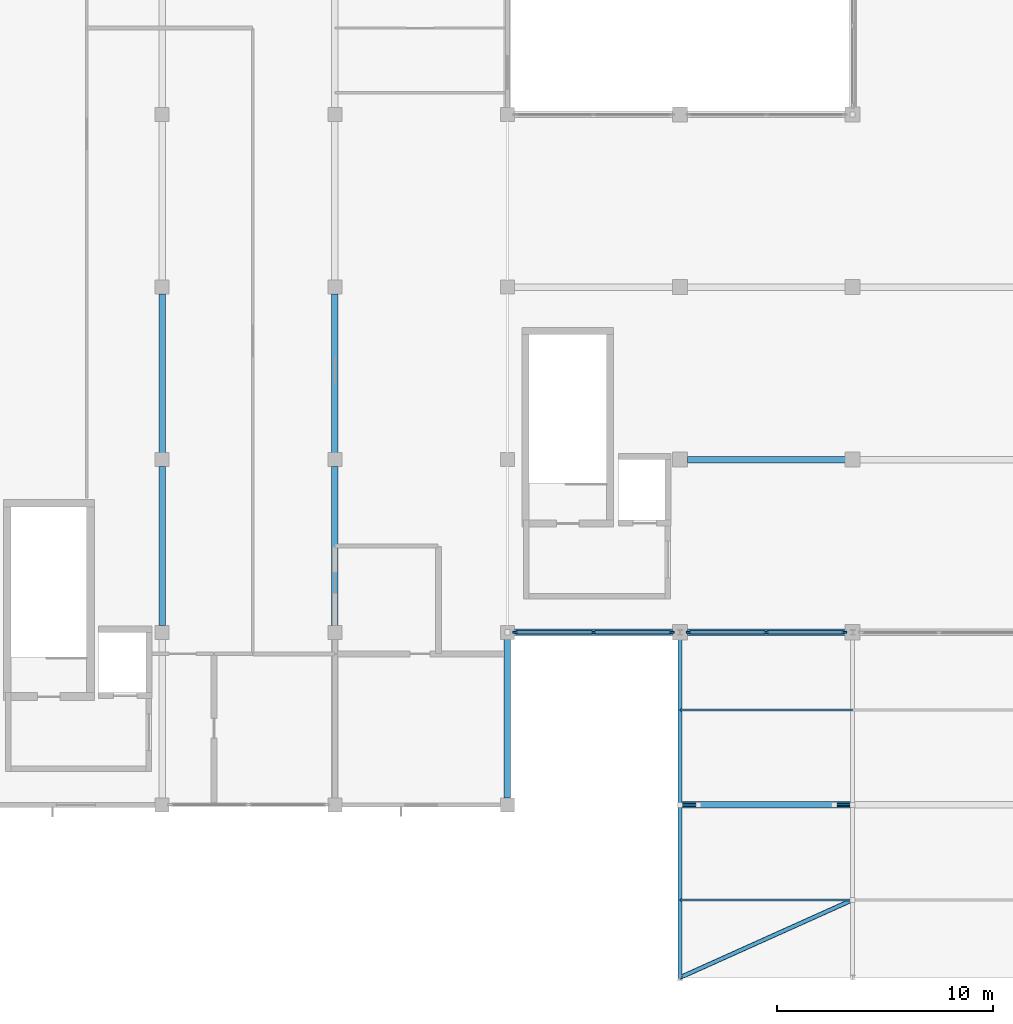
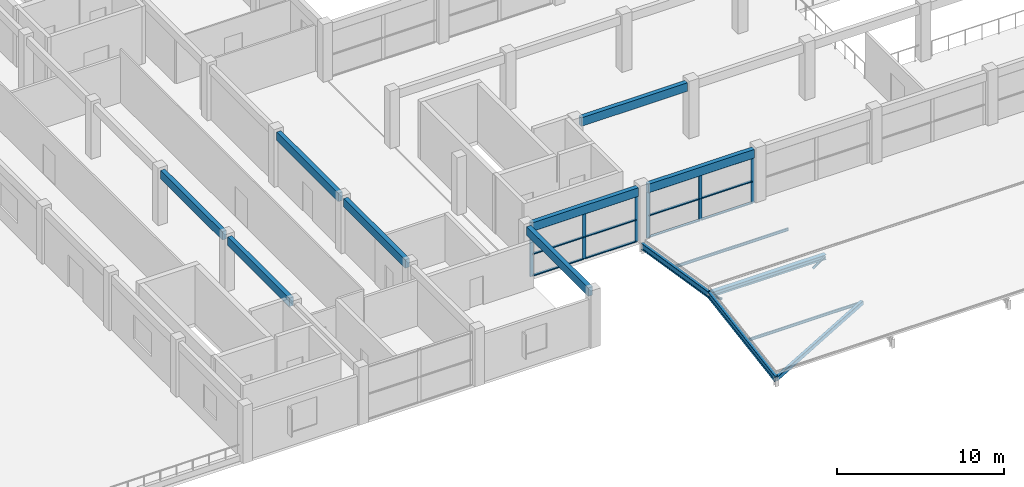
# One storey, part 6 of 67: 24 members, 10 beams, 2 elements without a shape of their own.
"""IFC4 building model written with IfcOpenShell, lengths in metres."""

from ifc_helpers import new_model, si_unit, direction, frame, origin, origin_2d, place, context, subcontext, project, spatial, rectangle, hollow_rectangle, hollow_circle, i_section, extrude, material, material_profile, profile_set, type_object, element, aggregate, save


model = new_model("IFC4")

# Units and contexts
model_context = context("Model", 3, precision=1e-05, world=origin(), true_north=direction((0.0, 1.0)))
body_context = subcontext(model_context, "Body", "Model", "MODEL_VIEW")
ifc_project = project(units=[si_unit("LENGTHUNIT", "METRE"), si_unit("AREAUNIT", "SQUARE_METRE"), si_unit("VOLUMEUNIT", "CUBIC_METRE"), si_unit("PLANEANGLEUNIT", "RADIAN"), si_unit("MASSUNIT", "GRAM", prefix="KILO")], contexts=[model_context])

# Site, building, storey
site_placement = place(None, origin())
site = spatial("IfcSite", under=ifc_project, at=site_placement, CompositionType="ELEMENT")
building_placement = place(site_placement, origin())
building = spatial("IfcBuilding", under=site, at=building_placement, Name="Kenh Van Central Station", CompositionType="ELEMENT")
storey_placement = place(building_placement, frame((0.0, 0.0, 10.800048828125)))
storey = spatial("IfcBuildingStorey", under=building, at=storey_placement, Name="L02", CompositionType="ELEMENT", Elevation=10.800048828125)

# Beams
ifc_material_1 = material(Name="Steel S355", Category="steel")
ifc_material_profile_1 = material_profile(ifc_material_1, i_section(OverallWidth=0.18994140625, OverallDepth=0.449951171875, WebThickness=0.009521484375, FlangeThickness=0.0146484375, FilletRadius=0.02099609375, at=origin_2d()), Name="IPE 450")
ifc_profile_set_1 = profile_set([ifc_material_profile_1], Name="Steel S355")
beam_type_1 = type_object("IfcBeamType", Name="BM-STL-IPE450", PredefinedType="BEAM", material=ifc_profile_set_1)
for number, where, z_axis, x_axis, name in (
    (1, (56.0, 0.0, -0.4453125), (0.0, 0.987051780814, 0.160401938868), (-1.0, 0.0, 0.0), "L02 roof rafter 008"),
    (2, (56.0, 8.0, 0.854736328125), (0.0, 0.987051780814, -0.160401938868), (-1.0, 0.0, 0.0), "L02 roof rafter 009"),
):
    element("IfcBeam", number, at=place(storey_placement, frame(where, z_axis=z_axis, x_axis=x_axis)), inside=storey, type_object=beam_type_1, Name=name, PredefinedType="BEAM", context=body_context, shape_type="SweptSolid", body=[
        extrude(i_section(OverallWidth=0.18994140625, OverallDepth=0.449951171875, WebThickness=0.009521484375, FlangeThickness=0.0146484375, FilletRadius=0.02099609375, at=origin_2d()), origin(), (0.0, 0.0, 1.0), 8.10498046875),
    ])

# Curtain wall, members
ifc_material_2 = material(Name="Champagne anodised aluminium", Category="aluminium")
curtain_wall_type = type_object("IfcCurtainWallType", Name="CW-CONC-A", PredefinedType="NOTDEFINED", material=ifc_material_2)
curtain_wall_1_placement = place(storey_placement, origin())
curtain_wall_1 = element("IfcCurtainWall", 3, at=curtain_wall_1_placement, inside=storey, type_object=curtain_wall_type, Name="L02 curtain wall 159", PredefinedType="NOTDEFINED")
ifc_material_profile_2 = material_profile(ifc_material_2, rectangle(XDim=0.08203125, YDim=0.22509765625, at=origin_2d()), Name="AL 82x225")
ifc_profile_set_2 = profile_set([ifc_material_profile_2], Name="Champagne anodised aluminium")
member_type_1 = type_object("IfcMemberType", Name="CWM-70x180", PredefinedType="MULLION", material=ifc_profile_set_2)
member_1_placement = place(storey_placement, frame((48.365966796875, 16.0, 0.0), z_axis=(0.0, 0.0, 1.0), x_axis=(0.0, 1.0, 0.0)))
member_1 = element("IfcMember", 4, at=member_1_placement, type_object=member_type_1, Name="CW-03 mullion 1", PredefinedType="MULLION", context=body_context, shape_type="SweptSolid", body=[
    extrude(rectangle(XDim=0.08203125, YDim=0.22509765625, at=origin_2d()), origin(), (0.0, 0.0, 1.0), 3.35986328125),
])
member_2_placement = place(storey_placement, frame((51.987548828125, 16.0, 0.0), z_axis=(0.0, 0.0, 1.0), x_axis=(0.0, 1.0, 0.0)))
member_2 = element("IfcMember", 5, at=member_2_placement, type_object=member_type_1, Name="CW-03 mullion 2", PredefinedType="MULLION", context=body_context, shape_type="SweptSolid", body=[
    extrude(rectangle(XDim=0.08203125, YDim=0.22509765625, at=origin_2d()), origin(), (0.0, 0.0, 1.0), 3.35986328125),
])
member_3_placement = place(storey_placement, frame((55.60888671875, 16.0, 0.0), z_axis=(0.0, 0.0, 1.0), x_axis=(0.0, 1.0, 0.0)))
member_3 = element("IfcMember", 6, at=member_3_placement, type_object=member_type_1, Name="CW-03 mullion 3", PredefinedType="MULLION", context=body_context, shape_type="SweptSolid", body=[
    extrude(rectangle(XDim=0.08203125, YDim=0.22509765625, at=origin_2d()), origin(), (0.0, 0.0, 1.0), 3.35986328125),
])

curtain_wall_2_placement = place(storey_placement, origin())
curtain_wall_2 = element("IfcCurtainWall", 7, at=curtain_wall_2_placement, inside=storey, type_object=curtain_wall_type, Name="L02 curtain wall 160", PredefinedType="NOTDEFINED")
member_4_placement = place(storey_placement, frame((56.39111328125, 16.0, 0.0), z_axis=(0.0, 0.0, 1.0), x_axis=(0.0, 1.0, 0.0)))
member_4 = element("IfcMember", 8, at=member_4_placement, type_object=member_type_1, Name="CW-03 mullion 1", PredefinedType="MULLION", context=body_context, shape_type="SweptSolid", body=[
    extrude(rectangle(XDim=0.08203125, YDim=0.22509765625, at=origin_2d()), origin(), (0.0, 0.0, 1.0), 3.35986328125),
])
member_5_placement = place(storey_placement, frame((60.0, 16.0, 0.0), z_axis=(0.0, 0.0, 1.0), x_axis=(0.0, 1.0, 0.0)))
member_5 = element("IfcMember", 9, at=member_5_placement, type_object=member_type_1, Name="CW-03 mullion 2", PredefinedType="MULLION", context=body_context, shape_type="SweptSolid", body=[
    extrude(rectangle(XDim=0.08203125, YDim=0.22509765625, at=origin_2d()), origin(), (0.0, 0.0, 1.0), 3.35986328125),
])
member_6_placement = place(storey_placement, frame((63.60888671875, 16.0, 0.0), z_axis=(0.0, 0.0, 1.0), x_axis=(0.0, 1.0, 0.0)))
member_6 = element("IfcMember", 10, at=member_6_placement, type_object=member_type_1, Name="CW-03 mullion 3", PredefinedType="MULLION", context=body_context, shape_type="SweptSolid", body=[
    extrude(rectangle(XDim=0.08203125, YDim=0.22509765625, at=origin_2d()), origin(), (0.0, 0.0, 1.0), 3.35986328125),
])

# Member
ifc_material_profile_3 = material_profile(ifc_material_2, rectangle(XDim=0.155029296875, YDim=0.072021484375, at=origin_2d()), Name="AL 155x72")
ifc_profile_set_3 = profile_set([ifc_material_profile_3], Name="Champagne anodised aluminium")
member_type_2 = type_object("IfcMemberType", Name="CWT-120x60", PredefinedType="USERDEFINED", material=ifc_profile_set_3)
member_7_placement = place(storey_placement, frame((48.406982421875, 16.0, 0.035888671875), z_axis=(1.0, 0.0, 0.0), x_axis=(0.0, 1.0, 0.0)))
member_7 = element("IfcMember", 11, at=member_7_placement, type_object=member_type_2, Name="CW-03 transom 1.1", ObjectType="TRANSOM", PredefinedType="USERDEFINED", context=body_context, shape_type="SweptSolid", body=[
    extrude(rectangle(XDim=0.155029296875, YDim=0.072021484375, at=origin_2d()), origin(), (0.0, 0.0, 1.0), 3.53955078125),
])

member_8_placement = place(storey_placement, frame((48.406982421875, 16.0, 1.61279296875), z_axis=(1.0, 0.0, 0.0), x_axis=(0.0, 1.0, 0.0)))
member_8 = element("IfcMember", 12, at=member_8_placement, type_object=member_type_2, Name="CW-03 transom 1.2", ObjectType="TRANSOM", PredefinedType="USERDEFINED", context=body_context, shape_type="SweptSolid", body=[
    extrude(rectangle(XDim=0.155029296875, YDim=0.072021484375, at=origin_2d()), origin(), (0.0, 0.0, 1.0), 3.53955078125),
])

member_9_placement = place(storey_placement, frame((48.406982421875, 16.0, 3.323974609375), z_axis=(1.0, 0.0, 0.0), x_axis=(0.0, 1.0, 0.0)))
member_9 = element("IfcMember", 13, at=member_9_placement, type_object=member_type_2, Name="CW-03 transom 1.3", ObjectType="TRANSOM", PredefinedType="USERDEFINED", context=body_context, shape_type="SweptSolid", body=[
    extrude(rectangle(XDim=0.155029296875, YDim=0.072021484375, at=origin_2d()), origin(), (0.0, 0.0, 1.0), 3.53955078125),
])

member_10_placement = place(storey_placement, frame((52.028564453125, 16.0, 0.035888671875), z_axis=(1.0, 0.0, 0.0), x_axis=(0.0, 1.0, 0.0)))
member_10 = element("IfcMember", 14, at=member_10_placement, type_object=member_type_2, Name="CW-03 transom 2.1", ObjectType="TRANSOM", PredefinedType="USERDEFINED", context=body_context, shape_type="SweptSolid", body=[
    extrude(rectangle(XDim=0.155029296875, YDim=0.072021484375, at=origin_2d()), origin(), (0.0, 0.0, 1.0), 3.53955078125),
])

member_11_placement = place(storey_placement, frame((52.028564453125, 16.0, 1.61279296875), z_axis=(1.0, 0.0, 0.0), x_axis=(0.0, 1.0, 0.0)))
member_11 = element("IfcMember", 15, at=member_11_placement, type_object=member_type_2, Name="CW-03 transom 2.2", ObjectType="TRANSOM", PredefinedType="USERDEFINED", context=body_context, shape_type="SweptSolid", body=[
    extrude(rectangle(XDim=0.155029296875, YDim=0.072021484375, at=origin_2d()), origin(), (0.0, 0.0, 1.0), 3.53955078125),
])

member_12_placement = place(storey_placement, frame((52.028564453125, 16.0, 3.323974609375), z_axis=(1.0, 0.0, 0.0), x_axis=(0.0, 1.0, 0.0)))
member_12 = element("IfcMember", 16, at=member_12_placement, type_object=member_type_2, Name="CW-03 transom 2.3", ObjectType="TRANSOM", PredefinedType="USERDEFINED", context=body_context, shape_type="SweptSolid", body=[
    extrude(rectangle(XDim=0.155029296875, YDim=0.072021484375, at=origin_2d()), origin(), (0.0, 0.0, 1.0), 3.53955078125),
])

aggregate(curtain_wall_1, [member_1, member_2, member_3, member_7, member_8, member_9, member_10, member_11, member_12])

member_13_placement = place(storey_placement, frame((56.431884765625, 16.0, 0.035888671875), z_axis=(1.0, 0.0, 0.0), x_axis=(0.0, 1.0, 0.0)))
member_13 = element("IfcMember", 17, at=member_13_placement, type_object=member_type_2, Name="CW-03 transom 1.1", ObjectType="TRANSOM", PredefinedType="USERDEFINED", context=body_context, shape_type="SweptSolid", body=[
    extrude(rectangle(XDim=0.155029296875, YDim=0.072021484375, at=origin_2d()), origin(), (0.0, 0.0, 1.0), 3.527099609375),
])

member_14_placement = place(storey_placement, frame((56.431884765625, 16.0, 1.61279296875), z_axis=(1.0, 0.0, 0.0), x_axis=(0.0, 1.0, 0.0)))
member_14 = element("IfcMember", 18, at=member_14_placement, type_object=member_type_2, Name="CW-03 transom 1.2", ObjectType="TRANSOM", PredefinedType="USERDEFINED", context=body_context, shape_type="SweptSolid", body=[
    extrude(rectangle(XDim=0.155029296875, YDim=0.072021484375, at=origin_2d()), origin(), (0.0, 0.0, 1.0), 3.527099609375),
])

member_15_placement = place(storey_placement, frame((56.431884765625, 16.0, 3.323974609375), z_axis=(1.0, 0.0, 0.0), x_axis=(0.0, 1.0, 0.0)))
member_15 = element("IfcMember", 19, at=member_15_placement, type_object=member_type_2, Name="CW-03 transom 1.3", ObjectType="TRANSOM", PredefinedType="USERDEFINED", context=body_context, shape_type="SweptSolid", body=[
    extrude(rectangle(XDim=0.155029296875, YDim=0.072021484375, at=origin_2d()), origin(), (0.0, 0.0, 1.0), 3.527099609375),
])

member_16_placement = place(storey_placement, frame((60.041015625, 16.0, 0.035888671875), z_axis=(1.0, 0.0, 0.0), x_axis=(0.0, 1.0, 0.0)))
member_16 = element("IfcMember", 20, at=member_16_placement, type_object=member_type_2, Name="CW-03 transom 2.1", ObjectType="TRANSOM", PredefinedType="USERDEFINED", context=body_context, shape_type="SweptSolid", body=[
    extrude(rectangle(XDim=0.155029296875, YDim=0.072021484375, at=origin_2d()), origin(), (0.0, 0.0, 1.0), 3.527099609375),
])

member_17_placement = place(storey_placement, frame((60.041015625, 16.0, 1.61279296875), z_axis=(1.0, 0.0, 0.0), x_axis=(0.0, 1.0, 0.0)))
member_17 = element("IfcMember", 21, at=member_17_placement, type_object=member_type_2, Name="CW-03 transom 2.2", ObjectType="TRANSOM", PredefinedType="USERDEFINED", context=body_context, shape_type="SweptSolid", body=[
    extrude(rectangle(XDim=0.155029296875, YDim=0.072021484375, at=origin_2d()), origin(), (0.0, 0.0, 1.0), 3.527099609375),
])

member_18_placement = place(storey_placement, frame((60.041015625, 16.0, 3.323974609375), z_axis=(1.0, 0.0, 0.0), x_axis=(0.0, 1.0, 0.0)))
member_18 = element("IfcMember", 22, at=member_18_placement, type_object=member_type_2, Name="CW-03 transom 2.3", ObjectType="TRANSOM", PredefinedType="USERDEFINED", context=body_context, shape_type="SweptSolid", body=[
    extrude(rectangle(XDim=0.155029296875, YDim=0.072021484375, at=origin_2d()), origin(), (0.0, 0.0, 1.0), 3.527099609375),
])

aggregate(curtain_wall_2, [member_4, member_5, member_6, member_13, member_14, member_15, member_16, member_17, member_18])

# Members
ifc_material_profile_4 = material_profile(ifc_material_1, hollow_rectangle(XDim=0.199951171875, YDim=0.300048828125, WallThickness=0.010009765625, InnerFilletRadius=0.010009765625, OuterFilletRadius=0.02001953125, at=origin_2d()), Name="RHS 300x200x10")
ifc_profile_set_4 = profile_set([ifc_material_profile_4], Name="Steel S355")
member_type_3 = type_object("IfcMemberType", Name="MEM-CAN-BRC300", PredefinedType="BRACE", material=ifc_profile_set_4)
member_19_placement = place(storey_placement, frame((56.0, 0.0, -0.4453125), z_axis=(0.909896811165, 0.409464672163, 0.066531761461), x_axis=(-0.410373934525, 0.91191733938, 0.0)))
element("IfcMember", 23, at=member_19_placement, inside=storey, type_object=member_type_3, Name="L02 roof wind brace 001", PredefinedType="BRACE", context=body_context, shape_type="SweptSolid", body=[
    extrude(hollow_rectangle(XDim=0.199951171875, YDim=0.300048828125, WallThickness=0.010009765625, InnerFilletRadius=0.010009765625, OuterFilletRadius=0.02001953125, at=origin_2d()), origin(), (0.0, 0.0, 1.0), 8.792236328125),
])
ifc_material_profile_5 = material_profile(ifc_material_1, i_section(OverallWidth=0.10009765625, OverallDepth=0.199951171875, WebThickness=0.005615234375, FlangeThickness=0.008544921875, FilletRadius=0.011962890625, at=origin_2d()), Name="IPE 200")
ifc_profile_set_5 = profile_set([ifc_material_profile_5], Name="Steel S355")
member_type_4 = type_object("IfcMemberType", Name="MEM-PUR-IPE200", PredefinedType="PURLIN", material=ifc_profile_set_5)
for number, where, z_axis, x_axis, name in (
    (24, (56.0, 3.60009765625, 0.1396484375), (1.0, 0.0, 0.0), (0.0, 1.0, 0.0), "L02 roof purlin 001"),
    (25, (56.0, 12.39990234375, 0.1396484375), (1.0, 0.0, 0.0), (0.0, 1.0, 0.0), "L02 roof purlin 008"),
):
    element("IfcMember", number, at=place(storey_placement, frame(where, z_axis=z_axis, x_axis=x_axis)), inside=storey, type_object=member_type_4, Name=name, PredefinedType="PURLIN", context=body_context, shape_type="SweptSolid", body=[
        extrude(i_section(OverallWidth=0.10009765625, OverallDepth=0.199951171875, WebThickness=0.005615234375, FlangeThickness=0.008544921875, FilletRadius=0.011962890625, at=origin_2d()), origin(), (0.0, 0.0, 1.0), 8.0),
    ])
ifc_material_profile_6 = material_profile(ifc_material_1, hollow_circle(Radius=0.084228515625, WallThickness=0.008056640625, at=origin_2d()), Name="CHS 168.3x8")
ifc_profile_set_6 = profile_set([ifc_material_profile_6], Name="Steel S355")
member_type_5 = type_object("IfcMemberType", Name="MEM-ROOF-BRC168", PredefinedType="BRACE", material=ifc_profile_set_6)
for number, where, z_axis, x_axis, name in (
    (26, (56.85009765625, 8.0, 0.23486328125), (-0.808002927302, 0.0, 0.589178469966), (0.0, -1.0, 0.0), "L02 roof truss web diagonal 003"),
    (27, (63.14990234375, 8.0, 0.23486328125), (0.808002927302, 0.0, 0.589178469966), (0.0, 1.0, 0.0), "L02 roof truss web diagonal 004"),
):
    element("IfcMember", number, at=place(storey_placement, frame(where, z_axis=z_axis, x_axis=x_axis)), inside=storey, type_object=member_type_5, Name=name, PredefinedType="BRACE", context=body_context, shape_type="SweptSolid", body=[
        extrude(hollow_circle(Radius=0.084228515625, WallThickness=0.008056640625, at=origin_2d()), origin(), (0.0, 0.0, 1.0), 1.052001953125),
    ])
ifc_material_profile_7 = material_profile(ifc_material_1, i_section(OverallWidth=0.300048828125, OverallDepth=0.35009765625, WebThickness=0.010009765625, FlangeThickness=0.017578125, FilletRadius=0.027099609375, at=origin_2d()), Name="HEA 360")
ifc_profile_set_7 = profile_set([ifc_material_profile_7], Name="Steel S355")
member_type_6 = type_object("IfcMemberType", Name="MEM-ROOF-HEA360", PredefinedType="CHORD", material=ifc_profile_set_7)
member_20_placement = place(storey_placement, frame((56.0, 8.0, 0.854736328125), z_axis=(1.0, 0.0, 0.0), x_axis=(0.0, 1.0, 0.0)))
element("IfcMember", 28, at=member_20_placement, inside=storey, type_object=member_type_6, Name="L02 roof ridge chord 001", PredefinedType="CHORD", context=body_context, shape_type="SweptSolid", body=[
    extrude(i_section(OverallWidth=0.300048828125, OverallDepth=0.35009765625, WebThickness=0.010009765625, FlangeThickness=0.017578125, FilletRadius=0.027099609375, at=origin_2d()), origin(), (0.0, 0.0, 1.0), 8.0),
])

# Beams
ifc_material_3 = material(Name="Concrete C35/45", Category="concrete")
ifc_material_profile_8 = material_profile(ifc_material_3, rectangle(XDim=0.300048828125, YDim=0.6201171875, at=origin_2d()), Name="RC 300x620")
ifc_profile_set_8 = profile_set([ifc_material_profile_8], Name="Concrete C35/45")
beam_type_2 = type_object("IfcBeamType", Name="SPD-RC-300x620", PredefinedType="SPANDREL", material=ifc_profile_set_8)
beam_placement = place(storey_placement, frame((48.31494140625, 16.0, 3.669921875), z_axis=(1.0, 0.0, 0.0), x_axis=(0.0, 1.0, 0.0)))
element("IfcBeam", 29, at=beam_placement, inside=storey, type_object=beam_type_2, Name="L02 beam 0920", PredefinedType="SPANDREL", context=body_context, shape_type="SweptSolid", body=[
    extrude(rectangle(XDim=0.300048828125, YDim=0.6201171875, at=origin_2d()), origin(), (0.0, 0.0, 1.0), 7.344970703125),
])
for number, where, z_axis, x_axis, name in (
    (30, (56.340087890625, 16.0, 3.669921875), (1.0, 0.0, 0.0), (0.0, 1.0, 0.0), "L02 beam 0921"),
    (31, (56.340087890625, 24.0, 3.669921875), (1.0, 0.0, 0.0), (0.0, 1.0, 0.0), "L02 beam 0935"),
):
    element("IfcBeam", number, at=place(storey_placement, frame(where, z_axis=z_axis, x_axis=x_axis)), inside=storey, type_object=beam_type_2, Name=name, PredefinedType="SPANDREL", context=body_context, shape_type="SweptSolid", body=[
        extrude(rectangle(XDim=0.300048828125, YDim=0.6201171875, at=origin_2d()), origin(), (0.0, 0.0, 1.0), 7.31982421875),
    ])
for number, where, z_axis, x_axis, name in (
    (32, (32.0, 16.31494140625, 3.669921875), (0.0, 1.0, 0.0), (-1.0, 0.0, 0.0), "L02 beam 1006"),
    (33, (32.0, 24.31494140625, 3.669921875), (0.0, 1.0, 0.0), (-1.0, 0.0, 0.0), "L02 beam 1007"),
    (34, (40.0, 16.31494140625, 3.669921875), (0.0, 1.0, 0.0), (-1.0, 0.0, 0.0), "L02 beam 1012"),
    (35, (40.0, 24.31494140625, 3.669921875), (0.0, 1.0, 0.0), (-1.0, 0.0, 0.0), "L02 beam 1013"),
    (36, (48.0, 8.31494140625, 3.669921875), (0.0, 1.0, 0.0), (-1.0, 0.0, 0.0), "L02 beam 1017"),
):
    element("IfcBeam", number, at=place(storey_placement, frame(where, z_axis=z_axis, x_axis=x_axis)), inside=storey, type_object=beam_type_2, Name=name, PredefinedType="SPANDREL", context=body_context, shape_type="SweptSolid", body=[
        extrude(rectangle(XDim=0.300048828125, YDim=0.6201171875, at=origin_2d()), origin(), (0.0, 0.0, 1.0), 7.3701171875),
    ])

save(model, "model.ifc")
